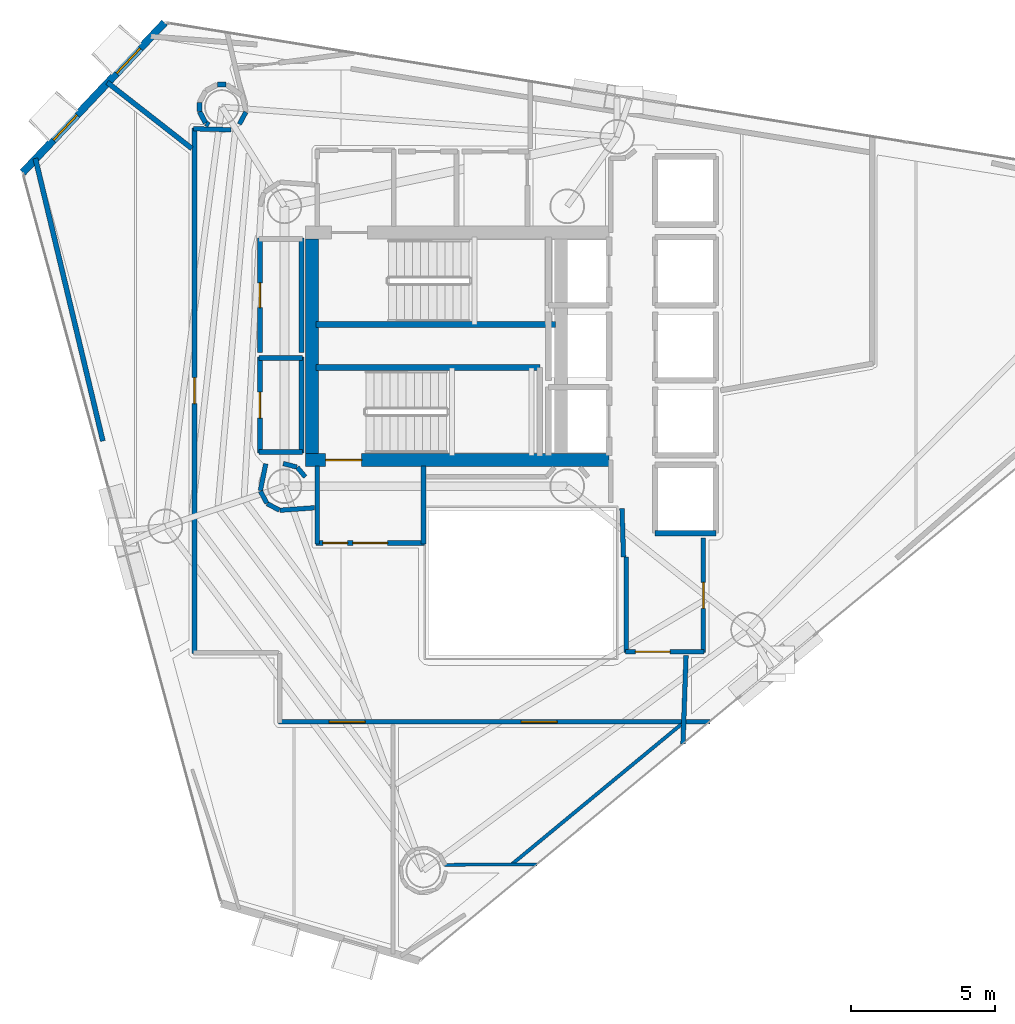
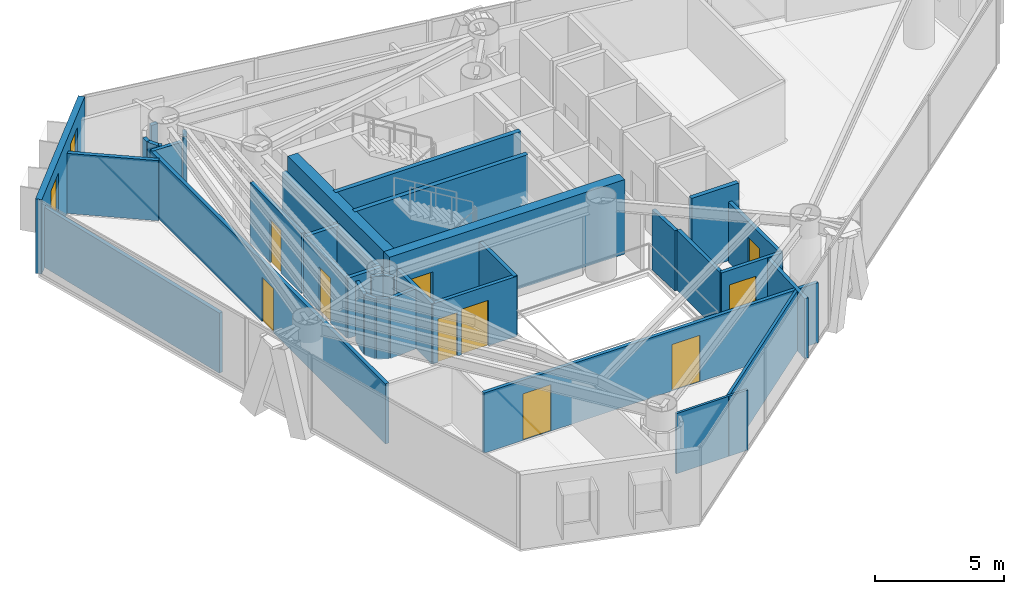
# One storey, part 16 of 21: 38 walls, 10 doors, 2 windows, 12 openings.
"""IFC4 building model written with IfcOpenShell, lengths in metres."""

from ifc_helpers import new_model, si_unit, direction, frame, frame_2d, origin, place, context, subcontext, project, spatial, rectangle, extrude, material, layer, layer_set, type_object, element, fill, save


model = new_model("IFC4")

# Units and contexts
model_context = context("Model", 3, precision=1e-05, world=origin(), true_north=direction((0.0, 1.0)))
body_context = subcontext(model_context, "Body", "Model", "MODEL_VIEW")
ifc_project = project(units=[si_unit("LENGTHUNIT", "METRE"), si_unit("AREAUNIT", "SQUARE_METRE"), si_unit("VOLUMEUNIT", "CUBIC_METRE"), si_unit("PLANEANGLEUNIT", "RADIAN"), si_unit("MASSUNIT", "GRAM", prefix="KILO")], contexts=[model_context])

# Site, building, storey
site_placement = place(None, origin())
site = spatial("IfcSite", under=ifc_project, at=site_placement, CompositionType="ELEMENT")
building_placement = place(site_placement, origin())
building = spatial("IfcBuilding", under=site, at=building_placement, Name="Qianvela Tower", CompositionType="ELEMENT")
storey_placement = place(building_placement, frame((0.0, 0.0, 211.39990234375)))
storey = spatial("IfcBuildingStorey", under=building, at=storey_placement, Name="L54", CompositionType="ELEMENT", Elevation=211.39990234375)

# Wall, openings, windows
ifc_material_1 = material(Name="Terracotta Cladding on Concrete C40", Category="masonry")
ifc_layer_1 = layer(ifc_material_1, 0.260009765625)
ifc_layer_set_1 = layer_set([ifc_layer_1], Name="Terracotta Cladding on Concrete C40")
wall_type_1 = type_object("IfcWallType", Name="TERRACOTTA-WALL-260", PredefinedType="SOLIDWALL", material=ifc_layer_set_1)
wall_1_placement = place(storey_placement, frame((24.44580078125, 39.918212890625, 0.0), z_axis=(0.0, 0.0, 1.0), x_axis=(-0.687265560939, -0.726406255994, 0.0)))
wall_1 = element("IfcWall", 1, at=wall_1_placement, inside=storey, type_object=wall_type_1, Name="L54 Terracotta Chamfer Facet Wall 3", PredefinedType="SOLIDWALL", context=body_context, shape_type="SweptSolid", body=[
    extrude(rectangle(XDim=7.154541015625, YDim=0.260009765625, at=frame_2d((3.5771484375, 0.0))), origin(), (0.0, 0.0, 1.0), 3.52001953125),
])
opening_1_placement = place(wall_1_placement, frame((1.226318359375, 0.0, 0.89990234375)))
opening_1 = element("IfcOpeningElement", 2, at=opening_1_placement, cuts=wall_1, Name="Opening W-03", PredefinedType="OPENING", context=body_context, shape_type="SweptSolid", body=[
    extrude(rectangle(XDim=1.199951171875, YDim=2.0, at=frame_2d((0.60009765625, 1.0))), frame((0.0, 0.139892578125, 0.0), z_axis=(0.0, -1.0, 0.0), x_axis=(1.0, 0.0, 0.0)), (0.0, 0.0, 1.0), 0.280029296875),
])
opening_2_placement = place(wall_1_placement, frame((4.407958984375, 0.0, 0.89990234375)))
opening_2 = element("IfcOpeningElement", 3, at=opening_2_placement, cuts=wall_1, Name="Opening W-03", PredefinedType="OPENING", context=body_context, shape_type="SweptSolid", body=[
    extrude(rectangle(XDim=1.199951171875, YDim=2.0, at=frame_2d((0.60009765625, 1.0))), frame((0.0, 0.139892578125, 0.0), z_axis=(0.0, -1.0, 0.0), x_axis=(1.0, 0.0, 0.0)), (0.0, 0.0, 1.0), 0.280029296875),
])
ifc_material_2 = material(Name="Thermally Broken Aluminium and Low-E Glass", Category="aluminium")
window_type = type_object("IfcWindowType", Name="WIN-TC-1200x2000", PartitioningType="SINGLE_PANEL", PredefinedType="WINDOW", material=ifc_material_2)
window_1_placement = place(opening_1_placement, origin())
window_1 = element("IfcWindow", 4, at=window_1_placement, inside=storey, type_object=window_type, Name="L54 Chamfer Facet Window 3.1", OverallHeight=2.0, OverallWidth=1.199951171875, PartitioningType="SINGLE_PANEL", PredefinedType="WINDOW", context=body_context, shape_type="SweptSolid", body=[
    extrude(rectangle(XDim=1.199951171875, YDim=2.0, at=frame_2d((0.60009765625, 1.0))), frame((0.0, 0.030029296875, 0.0), z_axis=(0.0, -1.0, 0.0), x_axis=(1.0, 0.0, 0.0)), (0.0, 0.0, 1.0), 0.06005859375),
])
fill(opening_1, window_1)
window_2_placement = place(opening_2_placement, origin())
window_2 = element("IfcWindow", 5, at=window_2_placement, inside=storey, type_object=window_type, Name="L54 Chamfer Facet Window 3.2", OverallHeight=2.0, OverallWidth=1.199951171875, PartitioningType="SINGLE_PANEL", PredefinedType="WINDOW", context=body_context, shape_type="SweptSolid", body=[
    extrude(rectangle(XDim=1.199951171875, YDim=2.0, at=frame_2d((0.60009765625, 1.0))), frame((0.0, 0.030029296875, 0.0), z_axis=(0.0, -1.0, 0.0), x_axis=(1.0, 0.0, 0.0)), (0.0, 0.0, 1.0), 0.06005859375),
])
fill(opening_2, window_2)

# Wall, opening, door
ifc_material_3 = material(Name="Concrete C50", Category="concrete")
ifc_layer_2 = layer(ifc_material_3, 0.449951171875)
ifc_layer_set_2 = layer_set([ifc_layer_2], Name="Concrete C50")
wall_type_2 = type_object("IfcWallType", Name="WT-CORE-450", PredefinedType="SHEAR", material=ifc_layer_set_2)
wall_2_placement = place(storey_placement, frame((29.330078125, 24.7548828125, 0.0), z_axis=(0.0, 0.0, 1.0), x_axis=(1.0, 0.0, 0.0)))
wall_2 = element("IfcWall", 6, at=wall_2_placement, inside=storey, type_object=wall_type_2, Name="L54 South Core Shear Wall", PredefinedType="SHEAR", context=body_context, shape_type="SweptSolid", body=[
    extrude(rectangle(XDim=10.52001953125, YDim=0.449951171875, at=frame_2d((5.260009765625, 0.0))), origin(), (0.0, 0.0, 1.0), 3.52001953125),
])
opening_3_placement = place(wall_2_placement, frame((0.695068359375, 0.0, 0.0)))
opening_3 = element("IfcOpeningElement", 7, at=opening_3_placement, cuts=wall_2, Name="Opening D-ST1", PredefinedType="OPENING", context=body_context, shape_type="SweptSolid", body=[
    extrude(rectangle(XDim=1.25, YDim=2.14990234375, at=frame_2d((0.625, 1.074951171875))), frame((0.0, 0.23486328125, 0.0), z_axis=(0.0, -1.0, 0.0), x_axis=(1.0, 0.0, 0.0)), (0.0, 0.0, 1.0), 0.469970703125),
])
ifc_material_4 = material(Name="Galvanised Fire Steel Q355B", Category="steel")
door_type_1 = type_object("IfcDoorType", Name="DT-STAIR-FD90", OperationType="NOTDEFINED", PredefinedType="DOOR", material=ifc_material_4)
door_1_placement = place(opening_3_placement, origin())
door_1 = element("IfcDoor", 8, at=door_1_placement, inside=storey, type_object=door_type_1, Name="L54 Stair ST-2 Exit Door", OperationType="SINGLE_SWING_RIGHT", OverallHeight=2.14990234375, OverallWidth=1.25, PredefinedType="DOOR", context=body_context, shape_type="SweptSolid", body=[
    extrude(rectangle(XDim=1.25, YDim=2.14990234375, at=frame_2d((0.625, 1.074951171875))), frame((0.0, 0.02490234375, 0.0), z_axis=(0.0, -1.0, 0.0), x_axis=(1.0, 0.0, 0.0)), (0.0, 0.0, 1.0), 0.050048828125),
])
fill(opening_3, door_1)

# Wall
wall_3_placement = place(storey_placement, frame((29.554931640625, 24.97998046875, 0.0), z_axis=(0.0, 0.0, 1.0), x_axis=(0.0, 1.0, 0.0)))
element("IfcWall", 9, at=wall_3_placement, inside=storey, type_object=wall_type_2, Name="L54 West Core Shear Wall", PredefinedType="SHEAR", context=body_context, shape_type="SweptSolid", body=[
    extrude(rectangle(XDim=7.43994140625, YDim=0.449951171875, at=frame_2d((3.719970703125, 0.0))), origin(), (0.0, 0.0, 1.0), 3.52001953125),
])

# Wall, openings, doors
ifc_material_5 = material(Name="Fire-Rated Gypsum and Concrete Block", Category="concrete")
ifc_layer_3 = layer(ifc_material_5, 0.159912109375)
ifc_layer_set_3 = layer_set([ifc_layer_3], Name="Fire-Rated Gypsum and Concrete Block")
wall_type_3 = type_object("IfcWallType", Name="WT-CORR-160", PredefinedType="PARTITIONING", material=ifc_layer_set_3)
wall_4_placement = place(storey_placement, frame((33.449951171875, 21.881103515625, 0.0), z_axis=(0.0, 0.0, 1.0), x_axis=(-1.0, 0.0, 0.0)))
wall_4 = element("IfcWall", 10, at=wall_4_placement, inside=storey, type_object=wall_type_3, Name="L54 Partition 5", PredefinedType="PARTITIONING", context=body_context, shape_type="SweptSolid", body=[
    extrude(rectangle(XDim=3.75, YDim=0.159912109375, at=frame_2d((1.875, 0.0))), origin(), (0.0, 0.0, 1.0), 2.840087890625),
])
opening_4_placement = place(wall_4_placement, frame((1.27490234375, 0.0, 0.0)))
opening_4 = element("IfcOpeningElement", 11, at=opening_4_placement, cuts=wall_4, Name="Opening D-LB1", PredefinedType="OPENING", context=body_context, shape_type="SweptSolid", body=[
    extrude(rectangle(XDim=1.199951171875, YDim=2.14990234375, at=frame_2d((0.60009765625, 1.074951171875))), frame((0.0, 0.08984375, 0.0), z_axis=(0.0, -1.0, 0.0), x_axis=(1.0, 0.0, 0.0)), (0.0, 0.0, 1.0), 0.179931640625),
])
opening_5_placement = place(wall_4_placement, frame((2.659912109375, 0.0, 0.0)))
opening_5 = element("IfcOpeningElement", 12, at=opening_5_placement, cuts=wall_4, Name="Opening D-LB2", PredefinedType="OPENING", context=body_context, shape_type="SweptSolid", body=[
    extrude(rectangle(XDim=0.860107421875, YDim=2.050048828125, at=frame_2d((0.43017578125, 1.02490234375))), frame((0.0, 0.08984375, 0.0), z_axis=(0.0, -1.0, 0.0), x_axis=(1.0, 0.0, 0.0)), (0.0, 0.0, 1.0), 0.179931640625),
])
ifc_material_6 = material(Name="Glazed Fire-Rated Steel Frame", Category="steel")
door_type_2 = type_object("IfcDoorType", Name="DT-LOBBY-FD90", OperationType="NOTDEFINED", PredefinedType="DOOR", material=ifc_material_6)
door_2_placement = place(opening_4_placement, origin())
door_2 = element("IfcDoor", 13, at=door_2_placement, inside=storey, type_object=door_type_2, Name="L54 Door L54 Firefighting Lobby South to L54 Floor Corridor", OperationType="SINGLE_SWING_LEFT", OverallHeight=2.14990234375, OverallWidth=1.199951171875, PredefinedType="DOOR", context=body_context, shape_type="SweptSolid", body=[
    extrude(rectangle(XDim=1.199951171875, YDim=2.14990234375, at=frame_2d((0.60009765625, 1.074951171875))), frame((0.0, 0.02490234375, 0.0), z_axis=(0.0, -1.0, 0.0), x_axis=(1.0, 0.0, 0.0)), (0.0, 0.0, 1.0), 0.050048828125),
])
fill(opening_4, door_2)
ifc_material_7 = material(Name="Insulated Steel Fire Door Q355B", Category="steel")
door_type_3 = type_object("IfcDoorType", Name="DT-LOBBY-FD90-860", OperationType="NOTDEFINED", PredefinedType="DOOR", material=ifc_material_7)
door_3_placement = place(opening_5_placement, origin())
door_3 = element("IfcDoor", 14, at=door_3_placement, inside=storey, type_object=door_type_3, Name="L54 Door L54 Firefighting Lobby South to L54 Floor Corridor", OperationType="SINGLE_SWING_LEFT", OverallHeight=2.050048828125, OverallWidth=0.860107421875, PredefinedType="DOOR", context=body_context, shape_type="SweptSolid", body=[
    extrude(rectangle(XDim=0.860107421875, YDim=2.050048828125, at=frame_2d((0.43017578125, 1.02490234375))), frame((0.0, 0.02490234375, 0.0), z_axis=(0.0, -1.0, 0.0), x_axis=(1.0, 0.0, 0.0)), (0.0, 0.0, 1.0), 0.050048828125),
])
fill(opening_5, door_3)

# Walls
for number, where, z_axis, x_axis, name in (
    (15, (29.73095703125, 21.85009765625, 0.0), (0.0, 0.0, 1.0), (0.0, 1.0, 0.0), "L54 Partition 6"),
    (16, (33.4189453125, 24.5419921875, 0.0), (0.0, 0.0, 1.0), (0.0, -1.0, 0.0), "L54 Partition 8"),
):
    element("IfcWall", number, at=place(storey_placement, frame(where, z_axis=z_axis, x_axis=x_axis)), inside=storey, type_object=wall_type_3, Name=name, PredefinedType="PARTITIONING", context=body_context, shape_type="SweptSolid", body=[
        extrude(rectangle(XDim=2.69189453125, YDim=0.159912109375, at=frame_2d((1.345947265625, 0.0))), origin(), (0.0, 0.0, 1.0), 2.840087890625),
    ])
wall_5_placement = place(storey_placement, frame((40.35107421875, 21.40087890625, 0.0), z_axis=(0.0, 0.0, 1.0), x_axis=(-0.031058045979, 0.999517582527, 0.0)))
element("IfcWall", 17, at=wall_5_placement, inside=storey, type_object=wall_type_3, Name="L54 Partition 9", PredefinedType="PARTITIONING", context=body_context, shape_type="SweptSolid", body=[
    extrude(rectangle(XDim=1.68212890625, YDim=0.159912109375, at=frame_2d((0.841064453125, 0.0))), origin(), (0.0, 0.0, 1.0), 2.840087890625),
])

# Wall, opening, door
wall_6_placement = place(storey_placement, frame((43.118896484375, 22.050048828125, 0.0), z_axis=(0.0, 0.0, 1.0), x_axis=(0.0, -1.0, 0.0)))
wall_6 = element("IfcWall", 18, at=wall_6_placement, inside=storey, type_object=wall_type_3, Name="L54 Partition 17", PredefinedType="PARTITIONING", context=body_context, shape_type="SweptSolid", body=[
    extrude(rectangle(XDim=3.969970703125, YDim=0.159912109375, at=frame_2d((1.98486328125, 0.0))), origin(), (0.0, 0.0, 1.0), 2.840087890625),
])
opening_6_placement = place(wall_6_placement, frame((1.534912109375, 0.0, 0.0)))
opening_6 = element("IfcOpeningElement", 19, at=opening_6_placement, cuts=wall_6, Name="Opening D-KT1", PredefinedType="OPENING", context=body_context, shape_type="SweptSolid", body=[
    extrude(rectangle(XDim=0.89990234375, YDim=2.10009765625, at=frame_2d((0.449951171875, 1.050048828125))), frame((0.0, 0.08984375, 0.0), z_axis=(0.0, -1.0, 0.0), x_axis=(1.0, 0.0, 0.0)), (0.0, 0.0, 1.0), 0.179931640625),
])
ifc_material_8 = material(Name="Glazed Timber Kitchen Door", Category="wood")
door_type_4 = type_object("IfcDoorType", Name="DT-KITCH-900", OperationType="NOTDEFINED", PredefinedType="DOOR", material=ifc_material_8)
door_4_placement = place(opening_6_placement, origin())
door_4 = element("IfcDoor", 20, at=door_4_placement, inside=storey, type_object=door_type_4, Name="L54 Door Social Galley Kitchen L54-06 to L54 Lift Lobby", OperationType="SINGLE_SWING_RIGHT", OverallHeight=2.10009765625, OverallWidth=0.89990234375, PredefinedType="DOOR", context=body_context, shape_type="SweptSolid", body=[
    extrude(rectangle(XDim=0.89990234375, YDim=2.10009765625, at=frame_2d((0.449951171875, 1.050048828125))), frame((0.0, 0.02490234375, 0.0), z_axis=(0.0, -1.0, 0.0), x_axis=(1.0, 0.0, 0.0)), (0.0, 0.0, 1.0), 0.050048828125),
])
fill(opening_6, door_4)

wall_7_placement = place(storey_placement, frame((43.14990234375, 18.111083984375, 0.0), z_axis=(0.0, 0.0, 1.0), x_axis=(-1.0, 0.0, 0.0)))
wall_7 = element("IfcWall", 21, at=wall_7_placement, inside=storey, type_object=wall_type_3, Name="L54 Partition 18", PredefinedType="PARTITIONING", context=body_context, shape_type="SweptSolid", body=[
    extrude(rectangle(XDim=2.72998046875, YDim=0.159912109375, at=frame_2d((1.364990234375, 0.0))), origin(), (0.0, 0.0, 1.0), 2.840087890625),
])
opening_7_placement = place(wall_7_placement, frame((1.18505859375, 0.0, 0.0)))
opening_7 = element("IfcOpeningElement", 22, at=opening_7_placement, cuts=wall_7, Name="Opening D-LB1", PredefinedType="OPENING", context=body_context, shape_type="SweptSolid", body=[
    extrude(rectangle(XDim=1.199951171875, YDim=2.14990234375, at=frame_2d((0.60009765625, 1.074951171875))), frame((0.0, 0.08984375, 0.0), z_axis=(0.0, -1.0, 0.0), x_axis=(1.0, 0.0, 0.0)), (0.0, 0.0, 1.0), 0.179931640625),
])
door_5_placement = place(opening_7_placement, origin())
door_5 = element("IfcDoor", 23, at=door_5_placement, inside=storey, type_object=door_type_2, Name="L54 Door L54 Lift Lobby to L54 Floor Corridor", OperationType="SINGLE_SWING_RIGHT", OverallHeight=2.14990234375, OverallWidth=1.199951171875, PredefinedType="DOOR", context=body_context, shape_type="SweptSolid", body=[
    extrude(rectangle(XDim=1.199951171875, YDim=2.14990234375, at=frame_2d((0.60009765625, 1.074951171875))), frame((0.0, 0.02490234375, 0.0), z_axis=(0.0, -1.0, 0.0), x_axis=(1.0, 0.0, 0.0)), (0.0, 0.0, 1.0), 0.050048828125),
])
fill(opening_7, door_5)

# Walls
wall_8_placement = place(storey_placement, frame((40.450927734375, 18.080078125, 0.0), z_axis=(0.0, 0.0, 1.0), x_axis=(0.0, 1.0, 0.0)))
element("IfcWall", 24, at=wall_8_placement, inside=storey, type_object=wall_type_3, Name="L54 Partition 19 seg 1", PredefinedType="PARTITIONING", context=body_context, shape_type="SweptSolid", body=[
    extrude(rectangle(XDim=3.31982421875, YDim=0.159912109375, at=frame_2d((1.659912109375, 0.0))), origin(), (0.0, 0.0, 1.0), 2.840087890625),
])
wall_9_placement = place(storey_placement, frame((29.321044921875, 24.169921875, 0.0), z_axis=(0.0, 0.0, 1.0), x_axis=(-0.638008265708, 0.770029514296, 0.0)))
element("IfcWall", 25, at=wall_9_placement, inside=storey, type_object=wall_type_3, Name="L54 Partition 40", PredefinedType="PARTITIONING", context=body_context, shape_type="SweptSolid", body=[
    extrude(rectangle(XDim=0.430908203125, YDim=0.159912109375, at=frame_2d((0.21533203125, 0.0))), origin(), (0.0, 0.0, 1.0), 2.840087890625),
])
wall_10_placement = place(storey_placement, frame((29.030029296875, 24.511962890625, 0.0), z_axis=(0.0, 0.0, 1.0), x_axis=(-0.967681003213, 0.252177469296, 0.0)))
element("IfcWall", 26, at=wall_10_placement, inside=storey, type_object=wall_type_3, Name="L54 Partition 41", PredefinedType="PARTITIONING", context=body_context, shape_type="SweptSolid", body=[
    extrude(rectangle(XDim=0.488037109375, YDim=0.159912109375, at=frame_2d((0.244140625, 0.0))), origin(), (0.0, 0.0, 1.0), 2.840087890625),
])
wall_11_placement = place(storey_placement, frame((27.950439453125, 24.626220703125, 0.0), z_axis=(0.0, 0.0, 1.0), x_axis=(-0.195125950178, -0.980778192848, 0.0)))
element("IfcWall", 27, at=wall_11_placement, inside=storey, type_object=wall_type_3, Name="L54 Partition 66", PredefinedType="PARTITIONING", context=body_context, shape_type="SweptSolid", body=[
    extrude(rectangle(XDim=0.948486328125, YDim=0.159912109375, at=frame_2d((0.47412109375, 0.0))), origin(), (0.0, 0.0, 1.0), 2.840087890625),
])
for number, where, z_axis, x_axis, name in (
    (28, (27.768310546875, 23.67529296875, 0.0), (0.0, 0.0, 1.0), (0.471865548338, -0.881670519123, 0.0), "L54 Partition 67"),
    (29, (28.005615234375, 23.242919921875, 0.0), (0.0, 0.0, 1.0), (0.881670519123, -0.471865548338, 0.0), "L54 Partition 68"),
):
    element("IfcWall", number, at=place(storey_placement, frame(where, z_axis=z_axis, x_axis=x_axis)), inside=storey, type_object=wall_type_3, Name=name, PredefinedType="PARTITIONING", context=body_context, shape_type="SweptSolid", body=[
        extrude(rectangle(XDim=0.47607421875, YDim=0.159912109375, at=frame_2d((0.238037109375, 0.0))), origin(), (0.0, 0.0, 1.0), 2.840087890625),
    ])
wall_12_placement = place(storey_placement, frame((28.4423828125, 23.014892578125, 0.0), z_axis=(0.0, 0.0, 1.0), x_axis=(0.99740683837, 0.07196942943, 0.0)))
element("IfcWall", 30, at=wall_12_placement, inside=storey, type_object=wall_type_3, Name="L54 Partition 69", PredefinedType="PARTITIONING", context=body_context, shape_type="SweptSolid", body=[
    extrude(rectangle(XDim=1.200927734375, YDim=0.159912109375, at=frame_2d((0.6005859375, 0.0))), origin(), (0.0, 0.0, 1.0), 2.840087890625),
])
wall_13_placement = place(storey_placement, frame((42.51904296875, 17.981201171875, 0.0), z_axis=(0.0, 0.0, 1.0), x_axis=(-0.034867127796, -0.999391956841, 0.0)))
element("IfcWall", 31, at=wall_13_placement, inside=storey, type_object=wall_type_3, Name="L54 Partition 73", PredefinedType="PARTITIONING", context=body_context, shape_type="SweptSolid", body=[
    extrude(rectangle(XDim=3.073974609375, YDim=0.159912109375, at=frame_2d((1.537109375, 0.0))), origin(), (0.0, 0.0, 1.0), 2.840087890625),
])

# Wall, openings, doors
wall_14_placement = place(storey_placement, frame((43.343017578125, 15.680908203125, 0.0), z_axis=(0.0, 0.0, 1.0), x_axis=(-1.0, 0.0, 0.0)))
wall_14 = element("IfcWall", 32, at=wall_14_placement, inside=storey, type_object=wall_type_3, Name="L54 Partition 74", PredefinedType="PARTITIONING", context=body_context, shape_type="SweptSolid", body=[
    extrude(rectangle(XDim=14.943115234375, YDim=0.159912109375, at=frame_2d((7.4716796875, 0.0))), origin(), (0.0, 0.0, 1.0), 2.840087890625),
])
opening_8_placement = place(wall_14_placement, frame((11.94873046875, 0.0, 0.0)))
opening_8 = element("IfcOpeningElement", 33, at=opening_8_placement, cuts=wall_14, Name="Opening D-LG1", PredefinedType="OPENING", context=body_context, shape_type="SweptSolid", body=[
    extrude(rectangle(XDim=1.25, YDim=2.199951171875, at=frame_2d((0.625, 1.10009765625))), frame((0.0, 0.08984375, 0.0), z_axis=(0.0, -1.0, 0.0), x_axis=(1.0, 0.0, 0.0)), (0.0, 0.0, 1.0), 0.179931640625),
])
opening_9_placement = place(wall_14_placement, frame((5.29150390625, 0.0, 0.0)))
opening_9 = element("IfcOpeningElement", 34, at=opening_9_placement, cuts=wall_14, Name="Opening D-LG1", PredefinedType="OPENING", context=body_context, shape_type="SweptSolid", body=[
    extrude(rectangle(XDim=1.25, YDim=2.199951171875, at=frame_2d((0.625, 1.10009765625))), frame((0.0, 0.08984375, 0.0), z_axis=(0.0, -1.0, 0.0), x_axis=(1.0, 0.0, 0.0)), (0.0, 0.0, 1.0), 0.179931640625),
])
ifc_material_9 = material(Name="Anodised Aluminium Acoustic Glass Door", Category="aluminium")
door_type_5 = type_object("IfcDoorType", Name="DT-LOUNGE-1250", OperationType="NOTDEFINED", PredefinedType="DOOR", material=ifc_material_9)
door_6_placement = place(opening_8_placement, origin())
door_6 = element("IfcDoor", 35, at=door_6_placement, inside=storey, type_object=door_type_5, Name="L54 Door Student Reading Library L54-01 to L54 Floor Corridor", OperationType="SINGLE_SWING_RIGHT", OverallHeight=2.199951171875, OverallWidth=1.25, PredefinedType="DOOR", context=body_context, shape_type="SweptSolid", body=[
    extrude(rectangle(XDim=1.25, YDim=2.199951171875, at=frame_2d((0.625, 1.10009765625))), frame((0.0, 0.02490234375, 0.0), z_axis=(0.0, -1.0, 0.0), x_axis=(1.0, 0.0, 0.0)), (0.0, 0.0, 1.0), 0.050048828125),
])
fill(opening_8, door_6)
door_7_placement = place(opening_9_placement, origin())
door_7 = element("IfcDoor", 36, at=door_7_placement, inside=storey, type_object=door_type_5, Name="L54 Door Media Practice Cinema L54-02 to L54 Floor Corridor", OperationType="SINGLE_SWING_LEFT", OverallHeight=2.199951171875, OverallWidth=1.25, PredefinedType="DOOR", context=body_context, shape_type="SweptSolid", body=[
    extrude(rectangle(XDim=1.25, YDim=2.199951171875, at=frame_2d((0.625, 1.10009765625))), frame((0.0, 0.02490234375, 0.0), z_axis=(0.0, -1.0, 0.0), x_axis=(1.0, 0.0, 0.0)), (0.0, 0.0, 1.0), 0.050048828125),
])
fill(opening_9, door_7)

# Wall, opening, door
wall_15_placement = place(storey_placement, frame((25.48095703125, 18.050048828125, 0.0), z_axis=(0.0, 0.0, 1.0), x_axis=(0.0, 1.0, 0.0)))
wall_15 = element("IfcWall", 37, at=wall_15_placement, inside=storey, type_object=wall_type_3, Name="L54 Partition 77", PredefinedType="PARTITIONING", context=body_context, shape_type="SweptSolid", body=[
    extrude(rectangle(XDim=18.218505859375, YDim=0.159912109375, at=frame_2d((9.109375, 0.0))), origin(), (0.0, 0.0, 1.0), 2.840087890625),
])
opening_10_placement = place(wall_15_placement, frame((8.6591796875, 0.0, 0.0)))
opening_10 = element("IfcOpeningElement", 38, at=opening_10_placement, cuts=wall_15, Name="Opening D-KT1", PredefinedType="OPENING", context=body_context, shape_type="SweptSolid", body=[
    extrude(rectangle(XDim=0.89990234375, YDim=2.10009765625, at=frame_2d((0.449951171875, 1.050048828125))), frame((0.0, 0.08984375, 0.0), z_axis=(0.0, -1.0, 0.0), x_axis=(1.0, 0.0, 0.0)), (0.0, 0.0, 1.0), 0.179931640625),
])
door_8_placement = place(opening_10_placement, origin())
door_8 = element("IfcDoor", 39, at=door_8_placement, inside=storey, type_object=door_type_4, Name="L54 Door Floor Dining Kitchen L54-05 to L54 Floor Corridor", OperationType="SINGLE_SWING_LEFT", OverallHeight=2.10009765625, OverallWidth=0.89990234375, PredefinedType="DOOR", context=body_context, shape_type="SweptSolid", body=[
    extrude(rectangle(XDim=0.89990234375, YDim=2.10009765625, at=frame_2d((0.449951171875, 1.050048828125))), frame((0.0, 0.02490234375, 0.0), z_axis=(0.0, -1.0, 0.0), x_axis=(1.0, 0.0, 0.0)), (0.0, 0.0, 1.0), 0.050048828125),
])
fill(opening_10, door_8)

# Walls
wall_16_placement = place(storey_placement, frame((25.44921875, 36.237548828125, 0.0), z_axis=(0.0, 0.0, 1.0), x_axis=(0.999651698073, -0.026390955635, 0.0)))
element("IfcWall", 40, at=wall_16_placement, inside=storey, type_object=wall_type_3, Name="L54 Partition 78", PredefinedType="PARTITIONING", context=body_context, shape_type="SweptSolid", body=[
    extrude(rectangle(XDim=1.295166015625, YDim=0.159912109375, at=frame_2d((0.6474609375, 0.0))), origin(), (0.0, 0.0, 1.0), 2.840087890625),
])
wall_17_placement = place(storey_placement, frame((27.0380859375, 36.397705078125, 0.0), z_axis=(0.0, 0.0, 1.0), x_axis=(0.471865548338, 0.881670519123, 0.0)))
element("IfcWall", 41, at=wall_17_placement, inside=storey, type_object=wall_type_3, Name="L54 Partition 79", PredefinedType="PARTITIONING", context=body_context, shape_type="SweptSolid", body=[
    extrude(rectangle(XDim=0.47607421875, YDim=0.159912109375, at=frame_2d((0.238037109375, 0.0))), origin(), (0.0, 0.0, 1.0), 2.840087890625),
])
ifc_material_10 = material(Name="Lightweight Gypsum Room Partition")
ifc_layer_4 = layer(ifc_material_10, 0.10498046875)
ifc_layer_set_4 = layer_set([ifc_layer_4], Name="Lightweight Gypsum Room Partition")
wall_type_4 = type_object("IfcWallType", Name="WT-PART-105", PredefinedType="PARTITIONING", material=ifc_layer_set_4)
wall_18_placement = place(storey_placement, frame((37.35546875, 10.736083984375, 0.0), z_axis=(0.0, 0.0, 1.0), x_axis=(-0.999996835824, -0.002515619422, 0.0)))
element("IfcWall", 42, at=wall_18_placement, inside=storey, type_object=wall_type_4, Name="L54 Partition 88", PredefinedType="PARTITIONING", context=body_context, shape_type="SweptSolid", body=[
    extrude(rectangle(XDim=3.20263671875, YDim=0.10498046875, at=frame_2d((1.601318359375, 0.0))), origin(), (0.0, 0.0, 1.0), 2.840087890625),
])
ifc_material_11 = material(Name="Insulated Gypsum Stud Partition")
ifc_layer_5 = layer(ifc_material_11, 0.1201171875)
ifc_layer_set_5 = layer_set([ifc_layer_5], Name="Insulated Gypsum Stud Partition")
wall_type_5 = type_object("IfcWallType", Name="WT-PART-120", PredefinedType="PARTITIONING", material=ifc_layer_set_5)
wall_19_placement = place(storey_placement, frame((42.352294921875, 15.593994140625, 0.0), z_axis=(0.0, 0.0, 1.0), x_axis=(-0.77103880066, -0.636788165622, 0.0)))
element("IfcWall", 43, at=wall_19_placement, inside=storey, type_object=wall_type_5, Name="L54 Partition 87", PredefinedType="PARTITIONING", context=body_context, shape_type="SweptSolid", body=[
    extrude(rectangle(XDim=7.643310546875, YDim=0.1201171875, at=frame_2d((3.82177734375, 0.0))), origin(), (0.0, 0.0, 1.0), 2.840087890625),
])

# Wall, opening, door
ifc_material_12 = material(Name="Moisture-Resistant Acoustic Plumbing Wall")
ifc_layer_6 = layer(ifc_material_12, 0.175048828125)
ifc_layer_set_6 = layer_set([ifc_layer_6], Name="Moisture-Resistant Acoustic Plumbing Wall")
wall_type_6 = type_object("IfcWallType", Name="WT-PLUMB-175", PredefinedType="PLUMBINGWALL", material=ifc_layer_set_6)
wall_20_placement = place(storey_placement, frame((27.7509765625, 25.0, 0.0), z_axis=(0.0, 0.0, 1.0), x_axis=(0.0, 1.0, 0.0)))
wall_20 = element("IfcWall", 44, at=wall_20_placement, inside=storey, type_object=wall_type_6, Name="L54 Partition 28", PredefinedType="PLUMBINGWALL", context=body_context, shape_type="SweptSolid", body=[
    extrude(rectangle(XDim=3.320068359375, YDim=0.175048828125, at=frame_2d((1.66015625, 0.0))), origin(), (0.0, 0.0, 1.0), 2.840087890625),
])
opening_11_placement = place(wall_20_placement, frame((1.2099609375, 0.0, 0.0)))
opening_11 = element("IfcOpeningElement", 45, at=opening_11_placement, cuts=wall_20, Name="Opening D-KT1", PredefinedType="OPENING", context=body_context, shape_type="SweptSolid", body=[
    extrude(rectangle(XDim=0.89990234375, YDim=2.10009765625, at=frame_2d((0.449951171875, 1.050048828125))), frame((0.0, 0.097412109375, 0.0), z_axis=(0.0, -1.0, 0.0), x_axis=(1.0, 0.0, 0.0)), (0.0, 0.0, 1.0), 0.195068359375),
])
door_9_placement = place(opening_11_placement, origin())
door_9 = element("IfcDoor", 46, at=door_9_placement, inside=storey, type_object=door_type_4, Name="L54 Door L54 Core Tea Pantry West to L54 Floor Corridor", OperationType="SINGLE_SWING_LEFT", OverallHeight=2.10009765625, OverallWidth=0.89990234375, PredefinedType="DOOR", context=body_context, shape_type="SweptSolid", body=[
    extrude(rectangle(XDim=0.89990234375, YDim=2.10009765625, at=frame_2d((0.449951171875, 1.050048828125))), frame((0.0, 0.02490234375, 0.0), z_axis=(0.0, -1.0, 0.0), x_axis=(1.0, 0.0, 0.0)), (0.0, 0.0, 1.0), 0.050048828125),
])
fill(opening_11, door_9)

# Walls
wall_21_placement = place(storey_placement, frame((27.719970703125, 28.2890625, 0.0), z_axis=(0.0, 0.0, 1.0), x_axis=(1.0, 0.0, 0.0)))
element("IfcWall", 47, at=wall_21_placement, inside=storey, type_object=wall_type_6, Name="L54 Partition 29", PredefinedType="PLUMBINGWALL", context=body_context, shape_type="SweptSolid", body=[
    extrude(rectangle(XDim=1.5, YDim=0.175048828125, at=frame_2d((0.75, 0.0))), origin(), (0.0, 0.0, 1.0), 2.840087890625),
])
wall_22_placement = place(storey_placement, frame((29.18896484375, 28.320068359375, 0.0), z_axis=(0.0, 0.0, 1.0), x_axis=(0.0, -1.0, 0.0)))
element("IfcWall", 48, at=wall_22_placement, inside=storey, type_object=wall_type_6, Name="L54 Partition 30", PredefinedType="PLUMBINGWALL", context=body_context, shape_type="SweptSolid", body=[
    extrude(rectangle(XDim=3.320068359375, YDim=0.175048828125, at=frame_2d((1.66015625, 0.0))), origin(), (0.0, 0.0, 1.0), 2.840087890625),
])
wall_23_placement = place(storey_placement, frame((29.219970703125, 25.031005859375, 0.0), z_axis=(0.0, 0.0, 1.0), x_axis=(-1.0, 0.0, 0.0)))
element("IfcWall", 49, at=wall_23_placement, inside=storey, type_object=wall_type_6, Name="L54 Partition 31", PredefinedType="PLUMBINGWALL", context=body_context, shape_type="SweptSolid", body=[
    extrude(rectangle(XDim=1.5, YDim=0.175048828125, at=frame_2d((0.75, 0.0))), origin(), (0.0, 0.0, 1.0), 2.840087890625),
])

# Wall, opening, door
wall_24_placement = place(storey_placement, frame((27.7509765625, 28.47998046875, 0.0), z_axis=(0.0, 0.0, 1.0), x_axis=(0.0, 1.0, 0.0)))
wall_24 = element("IfcWall", 50, at=wall_24_placement, inside=storey, type_object=wall_type_6, Name="L54 Partition 32", PredefinedType="PLUMBINGWALL", context=body_context, shape_type="SweptSolid", body=[
    extrude(rectangle(XDim=3.969970703125, YDim=0.175048828125, at=frame_2d((1.98486328125, 0.0))), origin(), (0.0, 0.0, 1.0), 2.840087890625),
])
opening_12_placement = place(wall_24_placement, frame((1.554931640625, 0.0, 0.0)))
opening_12 = element("IfcOpeningElement", 51, at=opening_12_placement, cuts=wall_24, Name="Opening D-WC1", PredefinedType="OPENING", context=body_context, shape_type="SweptSolid", body=[
    extrude(rectangle(XDim=0.860107421875, YDim=2.050048828125, at=frame_2d((0.43017578125, 1.02490234375))), frame((0.0, 0.097412109375, 0.0), z_axis=(0.0, -1.0, 0.0), x_axis=(1.0, 0.0, 0.0)), (0.0, 0.0, 1.0), 0.195068359375),
])
ifc_material_13 = material(Name="Moisture-Sealed Acoustic Timber Door", Category="wood")
door_type_6 = type_object("IfcDoorType", Name="DT-WC-860", OperationType="NOTDEFINED", PredefinedType="DOOR", material=ifc_material_13)
door_10_placement = place(opening_12_placement, origin())
door_10 = element("IfcDoor", 52, at=door_10_placement, inside=storey, type_object=door_type_6, Name="L54 Door L54 Accessible WC to L54 Floor Corridor", OperationType="SINGLE_SWING_RIGHT", OverallHeight=2.050048828125, OverallWidth=0.860107421875, PredefinedType="DOOR", context=body_context, shape_type="SweptSolid", body=[
    extrude(rectangle(XDim=0.860107421875, YDim=2.050048828125, at=frame_2d((0.43017578125, 1.02490234375))), frame((0.0, 0.02490234375, 0.0), z_axis=(0.0, -1.0, 0.0), x_axis=(1.0, 0.0, 0.0)), (0.0, 0.0, 1.0), 0.050048828125),
])
fill(opening_12, door_10)

# Walls
wall_25_placement = place(storey_placement, frame((29.18896484375, 32.449951171875, 0.0), z_axis=(0.0, 0.0, 1.0), x_axis=(0.0, -1.0, 0.0)))
element("IfcWall", 53, at=wall_25_placement, inside=storey, type_object=wall_type_6, Name="L54 Partition 34", PredefinedType="PLUMBINGWALL", context=body_context, shape_type="SweptSolid", body=[
    extrude(rectangle(XDim=3.969970703125, YDim=0.175048828125, at=frame_2d((1.98486328125, 0.0))), origin(), (0.0, 0.0, 1.0), 2.840087890625),
])
for number, where, z_axis, x_axis, name in (
    (54, (26.579345703125, 37.768310546875, 0.0), (0.0, 0.0, 1.0), (-1.0, 0.0, 0.0), "L54 Partition 118"),
    (55, (25.654541015625, 37.140380859375, 0.0), (0.0, 0.0, 1.0), (0.0, -1.0, 0.0), "L54 Partition 121"),
):
    element("IfcWall", number, at=place(storey_placement, frame(where, z_axis=z_axis, x_axis=x_axis)), inside=storey, type_object=wall_type_6, Name=name, PredefinedType="PLUMBINGWALL", context=body_context, shape_type="SweptSolid", body=[
        extrude(rectangle(XDim=0.296630859375, YDim=0.175048828125, at=frame_2d((0.1484375, 0.0))), origin(), (0.0, 0.0, 1.0), 2.840087890625),
    ])
wall_26_placement = place(storey_placement, frame((25.658203125, 36.8291015625, 0.0), z_axis=(0.0, 0.0, 1.0), x_axis=(0.471392110461, -0.881923737177, 0.0)))
element("IfcWall", 56, at=wall_26_placement, inside=storey, type_object=wall_type_6, Name="L54 Partition 122", PredefinedType="PLUMBINGWALL", context=body_context, shape_type="SweptSolid", body=[
    extrude(rectangle(XDim=0.441162109375, YDim=0.175048828125, at=frame_2d((0.220703125, 0.0))), origin(), (0.0, 0.0, 1.0), 2.840087890625),
])
wall_27_placement = place(storey_placement, frame((25.877685546875, 36.427978515625, 0.0), z_axis=(0.0, 0.0, 1.0), x_axis=(0.860098766691, -0.510127544382, 0.0)))
element("IfcWall", 57, at=wall_27_placement, inside=storey, type_object=wall_type_6, Name="L54 Partition 123", PredefinedType="PLUMBINGWALL", context=body_context, shape_type="SweptSolid", body=[
    extrude(rectangle(XDim=0.12353515625, YDim=0.175048828125, at=frame_2d((0.061767578125, 0.0))), origin(), (0.0, 0.0, 1.0), 2.840087890625),
])
wall_28_placement = place(storey_placement, frame((25.38916015625, 35.5546875, 0.0), z_axis=(0.0, 0.0, 1.0), x_axis=(-0.788025368562, 0.615642768578, 0.0)))
element("IfcWall", 58, at=wall_28_placement, inside=storey, type_object=wall_type_6, Name="L54 Partition 124", PredefinedType="PLUMBINGWALL", context=body_context, shape_type="SweptSolid", body=[
    extrude(rectangle(XDim=3.720458984375, YDim=0.175048828125, at=frame_2d((1.8603515625, 0.0))), origin(), (0.0, 0.0, 1.0), 2.840087890625),
])
wall_29_placement = place(storey_placement, frame((22.305908203125, 25.415283203125, 0.0), z_axis=(0.0, 0.0, 1.0), x_axis=(-0.232253113471, 0.972655381563, 0.0)))
element("IfcWall", 59, at=wall_29_placement, inside=storey, type_object=wall_type_6, Name="L54 Partition 130 seg 2", PredefinedType="PLUMBINGWALL", context=body_context, shape_type="SweptSolid", body=[
    extrude(rectangle(XDim=10.0693359375, YDim=0.175048828125, at=frame_2d((5.03466796875, 0.0))), origin(), (0.0, 0.0, 1.0), 2.840087890625),
])
ifc_material_14 = material(Name="Concrete C50", Category="concrete")
ifc_layer_7 = layer(ifc_material_14, 0.199951171875)
ifc_layer_set_7 = layer_set([ifc_layer_7], Name="Concrete C50")
wall_type_7 = type_object("IfcWallType", Name="WT-SHAFT-200", PredefinedType="SOLIDWALL", material=ifc_layer_set_7)
wall_30_placement = place(storey_placement, frame((29.699951171875, 29.449951171875, 0.0), z_axis=(0.0, 0.0, 1.0), x_axis=(1.0, 0.0, 0.0)))
element("IfcWall", 60, at=wall_30_placement, inside=storey, type_object=wall_type_7, Name="L54 Stair ST-1 South Wall", PredefinedType="SOLIDWALL", context=body_context, shape_type="SweptSolid", body=[
    extrude(rectangle(XDim=8.300048828125, YDim=0.199951171875, at=frame_2d((4.14990234375, 0.0))), origin(), (0.0, 0.0, 1.0), 3.52001953125),
])
wall_31_placement = place(storey_placement, frame((29.699951171875, 27.9599609375, 0.0), z_axis=(0.0, 0.0, 1.0), x_axis=(1.0, 0.0, 0.0)))
element("IfcWall", 61, at=wall_31_placement, inside=storey, type_object=wall_type_7, Name="L54 Stair ST-2 North Wall", PredefinedType="SOLIDWALL", context=body_context, shape_type="SweptSolid", body=[
    extrude(rectangle(XDim=7.75, YDim=0.199951171875, at=frame_2d((3.875, 0.0))), origin(), (0.0, 0.0, 1.0), 3.52001953125),
])
wall_32_placement = place(storey_placement, frame((41.449951171875, 22.219970703125, 0.0), z_axis=(0.0, 0.0, 1.0), x_axis=(1.0, 0.0, 0.0)))
element("IfcWall", 62, at=wall_32_placement, inside=storey, type_object=wall_type_7, Name="L54 Lift PL-H2 S Shaft Wall", PredefinedType="SOLIDWALL", context=body_context, shape_type="SweptSolid", body=[
    extrude(rectangle(XDim=2.10009765625, YDim=0.199951171875, at=frame_2d((1.050048828125, 0.0))), origin(), (0.0, 0.0, 1.0), 3.52001953125),
])

save(model, "model.ifc")
